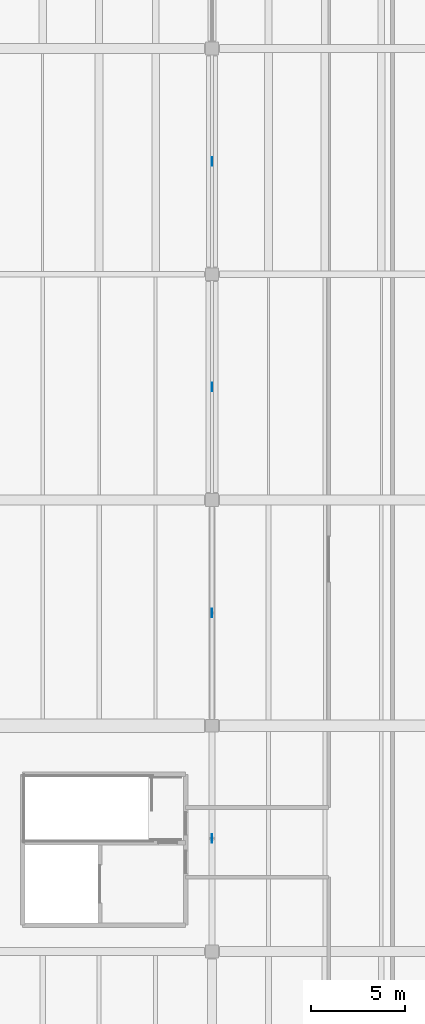
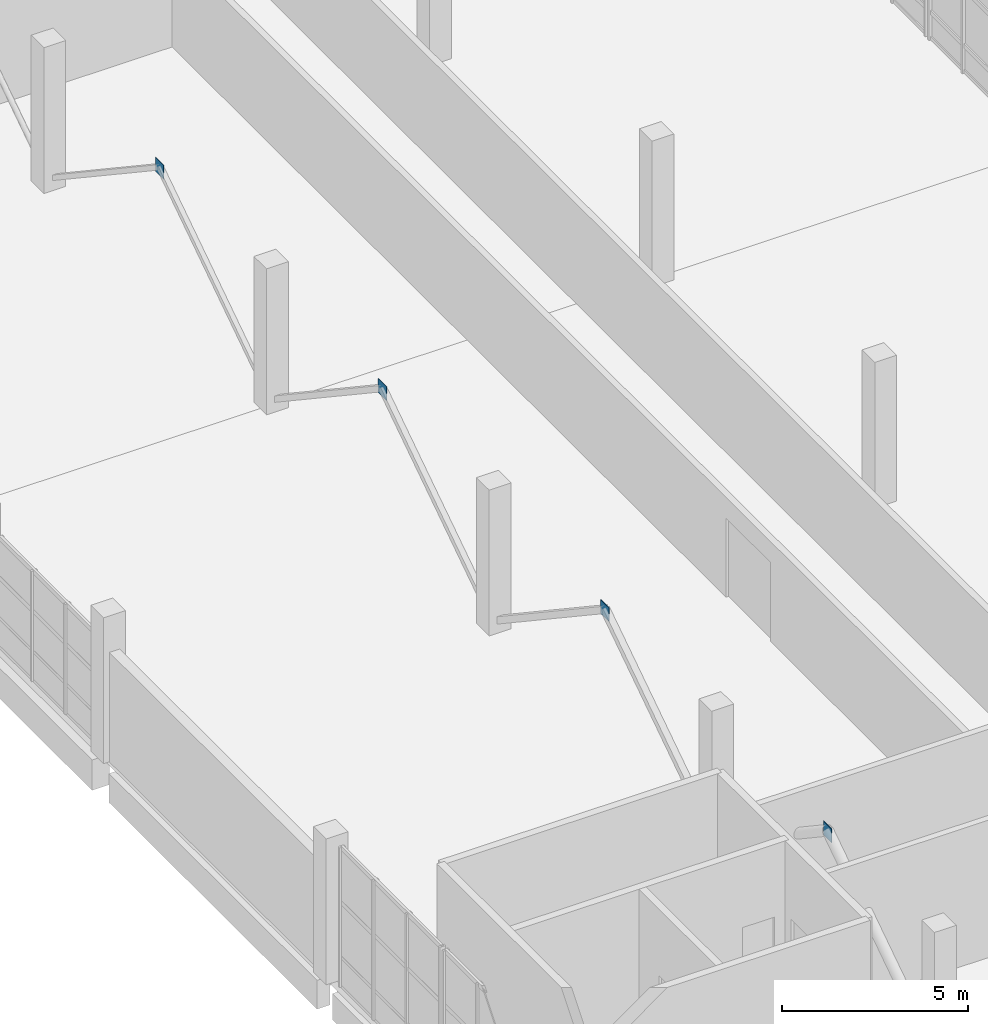
# One storey, part 34 of 49: 4 plates.
"""IFC4 building model written with IfcOpenShell, lengths in metres."""

from ifc_helpers import new_model, si_unit, direction, frame, origin, origin_2d, place, context, subcontext, project, spatial, rectangle, extrude, material, layer, layer_set, type_object, element, save


model = new_model("IFC4")

# Units and contexts
model_context = context("Model", 3, precision=1e-05, world=origin(), true_north=direction((0.0, 1.0)))
body_context = subcontext(model_context, "Body", "Model", "MODEL_VIEW")
ifc_project = project(units=[si_unit("LENGTHUNIT", "METRE"), si_unit("AREAUNIT", "SQUARE_METRE"), si_unit("VOLUMEUNIT", "CUBIC_METRE"), si_unit("PLANEANGLEUNIT", "RADIAN"), si_unit("MASSUNIT", "GRAM", prefix="KILO")], contexts=[model_context])

# Site, building, storey
site_placement = place(None, origin())
site = spatial("IfcSite", under=ifc_project, at=site_placement, CompositionType="ELEMENT")
building_placement = place(site_placement, origin())
building = spatial("IfcBuilding", under=site, at=building_placement, Name="Kamomehara Wholesale Market", CompositionType="ELEMENT")
storey_placement = place(building_placement, frame((0.0, 0.0, 11.39990234375)))
storey = spatial("IfcBuildingStorey", under=building, at=storey_placement, Name="L02", CompositionType="ELEMENT", Elevation=11.39990234375)

# Plates
ifc_material = material(Name="Steel SN490B", Category="steel")
ifc_layer = layer(ifc_material, 0.01611328125)
ifc_layer_set = layer_set([ifc_layer], Name="Steel SN490B")
plate_type = type_object("IfcPlateType", Name="PLT-GUS-16", PredefinedType="USERDEFINED", material=ifc_layer_set)
for number, where, z_axis, x_axis, name in (
    (1, (12.0, 66.0, 3.92529296875), (0.0, 0.0, 1.0), (1.0, 0.0, 0.0), "Chevron gusset plate V3 60"),
    (2, (12.0, 78.0, 3.92529296875), (0.0, 0.0, 1.0), (1.0, 0.0, 0.0), "Chevron gusset plate V3 72"),
    (3, (12.0, 90.0, 3.92529296875), (0.0, 0.0, 1.0), (1.0, 0.0, 0.0), "Chevron gusset plate V3 84"),
    (4, (12.0, 102.0, 3.92529296875), (0.0, 0.0, 1.0), (1.0, 0.0, 0.0), "Chevron gusset plate V3 96"),
):
    element("IfcPlate", number, at=place(storey_placement, frame(where, z_axis=z_axis, x_axis=x_axis)), inside=storey, type_object=plate_type, Name=name, ObjectType="GUSSET PLATE", PredefinedType="USERDEFINED", context=body_context, shape_type="SweptSolid", body=[
        extrude(rectangle(XDim=0.01611328125, YDim=0.449951171875, at=origin_2d()), origin(), (0.0, 0.0, 1.0), 0.449951171875),
    ])

save(model, "model.ifc")
